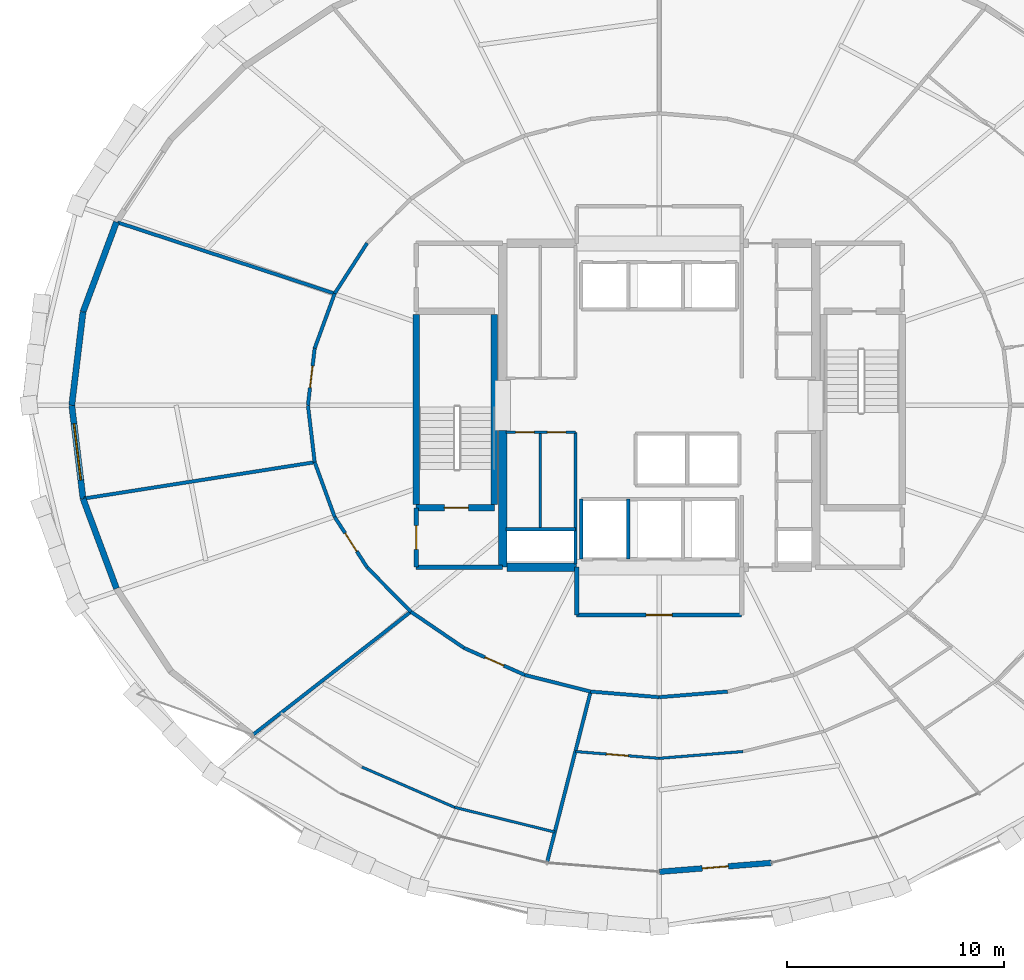
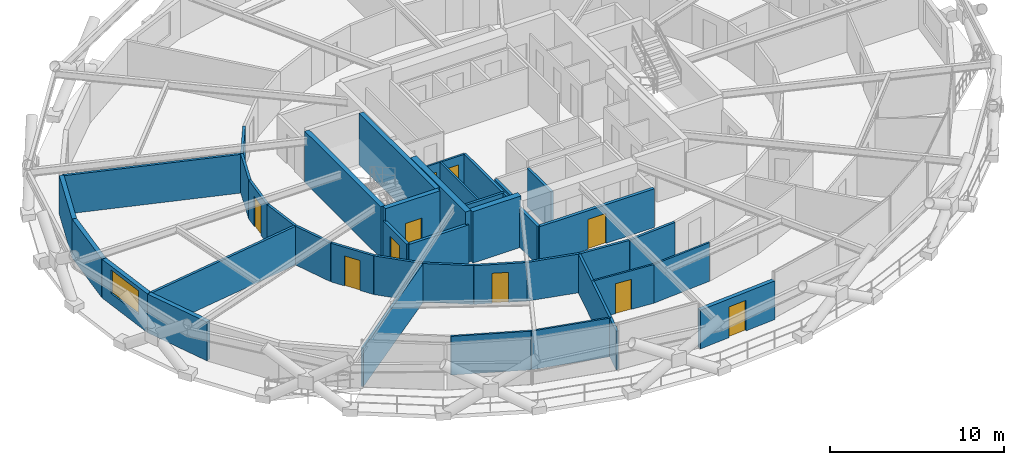
# One storey, part 13 of 19: 40 walls, 10 doors, 1 window, 11 openings.
"""IFC4 building model written with IfcOpenShell, lengths in metres."""

from ifc_helpers import new_model, si_unit, direction, frame, frame_2d, origin, place, context, subcontext, project, spatial, rectangle, extrude, material, layer, layer_set, type_object, element, fill, save


model = new_model("IFC4")

# Units and contexts
model_context = context("Model", 3, precision=1e-05, world=origin(), true_north=direction((0.0, 1.0)))
body_context = subcontext(model_context, "Body", "Model", "MODEL_VIEW")
ifc_project = project(units=[si_unit("LENGTHUNIT", "METRE"), si_unit("AREAUNIT", "SQUARE_METRE"), si_unit("VOLUMEUNIT", "CUBIC_METRE"), si_unit("PLANEANGLEUNIT", "RADIAN"), si_unit("MASSUNIT", "GRAM", prefix="KILO")], contexts=[model_context])

# Site, building, storey
site_placement = place(None, origin())
site = spatial("IfcSite", under=ifc_project, at=site_placement, CompositionType="ELEMENT")
building_placement = place(site_placement, origin())
building = spatial("IfcBuilding", under=site, at=building_placement, Name="Veldorina Hangang Commons", CompositionType="ELEMENT")
storey_placement = place(building_placement, frame((0.0, 0.0, 77.199951171875)))
storey = spatial("IfcBuildingStorey", under=building, at=storey_placement, Name="L19", CompositionType="ELEMENT", Elevation=77.199951171875)

# Walls
ifc_material_1 = material(Name="Concrete C70/85", Category="concrete")
ifc_layer_1 = layer(ifc_material_1, 0.3798828125)
ifc_layer_set_1 = layer_set([ifc_layer_1], Name="Concrete C70/85")
wall_type_1 = type_object("IfcWallType", Name="CW-RC380-C70", PredefinedType="SHEAR", material=ifc_layer_set_1)
wall_1_placement = place(storey_placement, frame((24.800048828125, 16.550048828125, 0.0), z_axis=(0.0, 0.0, 1.0), x_axis=(0.0, 1.0, 0.0)))
element("IfcWall", 1, at=wall_1_placement, inside=storey, type_object=wall_type_1, Name="L19 W south core shear wall", PredefinedType="SHEAR", context=body_context, shape_type="SweptSolid", body=[
    extrude(rectangle(XDim=6.300048828125, YDim=0.3798828125, at=frame_2d((3.14990234375, 0.0))), origin(), (0.0, 0.0, 1.0), 3.60009765625),
])
wall_2_placement = place(storey_placement, frame((24.989990234375, 16.550048828125, 0.0), z_axis=(0.0, 0.0, 1.0), x_axis=(1.0, 0.0, 0.0)))
element("IfcWall", 2, at=wall_2_placement, inside=storey, type_object=wall_type_1, Name="L19 south-west core shear wall", PredefinedType="SHEAR", context=body_context, shape_type="SweptSolid", body=[
    extrude(rectangle(XDim=3.2099609375, YDim=0.3798828125, at=frame_2d((1.60498046875, 0.0))), origin(), (0.0, 0.0, 1.0), 3.60009765625),
])

# Wall, opening, door
ifc_material_2 = material(Name="Stone Roman Travertine", Category="masonry")
ifc_layer_2 = layer(ifc_material_2, 0.260009765625)
ifc_layer_set_2 = layer_set([ifc_layer_2], Name="Stone Roman Travertine")
wall_type_2 = type_object("IfcWallType", Name="EW-LOGGIA-260", PredefinedType="STANDARD", material=ifc_layer_set_2)
wall_3_placement = place(storey_placement, frame((32.0, 2.529296875, 0.0), z_axis=(0.0, 0.0, 1.0), x_axis=(0.996823664018, 0.079640334335, 0.0)))
wall_3 = element("IfcWall", 3, at=wall_3_placement, inside=storey, type_object=wall_type_2, Name="L19 sky-garden loggia portal wall 24", PredefinedType="STANDARD", context=body_context, shape_type="SweptSolid", body=[
    extrude(rectangle(XDim=5.1806640625, YDim=0.260009765625, at=frame_2d((2.59033203125, 0.0))), origin(), (0.0, 0.0, 1.0), 2.7099609375),
])
opening_1_placement = place(wall_3_placement, frame((1.990234375, 0.0, 0.0)))
opening_1 = element("IfcOpeningElement", 4, at=opening_1_placement, cuts=wall_3, Name="Opening BD-1200", PredefinedType="OPENING", context=body_context, shape_type="SweptSolid", body=[
    extrude(rectangle(XDim=1.199951171875, YDim=2.14990234375, at=frame_2d((0.60009765625, 1.074951171875))), frame((0.0, 0.14013671875, 0.0), z_axis=(0.0, -1.0, 0.0), x_axis=(1.0, 0.0, 0.0)), (0.0, 0.0, 1.0), 0.280029296875),
])
ifc_material_3 = material(Name="Glass Thermal Aluminium Frame", Category="aluminium")
door_type_1 = type_object("IfcDoorType", Name="DR-EXT-LOG1200", OperationType="SINGLE_SWING_LEFT", PredefinedType="DOOR", material=ifc_material_3)
door_1_placement = place(opening_1_placement, origin())
door_1 = element("IfcDoor", 5, at=door_1_placement, inside=storey, type_object=door_type_1, Name="L19 loggia glazed exterior door 24", OperationType="SINGLE_SWING_LEFT", OverallHeight=2.14990234375, OverallWidth=1.199951171875, PredefinedType="DOOR", context=body_context, shape_type="SweptSolid", body=[
    extrude(rectangle(XDim=1.199951171875, YDim=2.14990234375, at=frame_2d((0.60009765625, 1.074951171875))), frame((0.0, 0.02490234375, 0.0), z_axis=(0.0, -1.0, 0.0), x_axis=(1.0, 0.0, 0.0)), (0.0, 0.0, 1.0), 0.050048828125),
])
fill(opening_1, door_1)

# Walls
ifc_layer_3 = layer(ifc_material_2, 0.280029296875)
ifc_layer_set_3 = layer_set([ifc_layer_3], Name="Stone Roman Travertine")
wall_type_3 = type_object("IfcWallType", Name="EW-TRAV-280", PredefinedType="STANDARD", material=ifc_layer_set_3)
wall_4_placement = place(storey_placement, frame((7.027099609375, 32.4306640625, 0.0), z_axis=(0.0, 0.0, 1.0), x_axis=(-0.348859248306, -0.93717513031, 0.0)))
element("IfcWall", 6, at=wall_4_placement, inside=storey, type_object=wall_type_3, Name="L19 travertine facade wall 14", PredefinedType="STANDARD", context=body_context, shape_type="SweptSolid", body=[
    extrude(rectangle(XDim=4.40966796875, YDim=0.280029296875, at=frame_2d((2.204833984375, 0.0))), origin(), (0.0, 0.0, 1.0), 2.7099609375),
])
wall_5_placement = place(storey_placement, frame((5.48876953125, 28.298095703125, 0.0), z_axis=(0.0, 0.0, 1.0), x_axis=(-0.119945698674, -0.992780453761, 0.0)))
element("IfcWall", 7, at=wall_5_placement, inside=storey, type_object=wall_type_3, Name="L19 travertine facade wall 15", PredefinedType="STANDARD", context=body_context, shape_type="SweptSolid", body=[
    extrude(rectangle(XDim=4.329345703125, YDim=0.280029296875, at=frame_2d((2.16455078125, 0.0))), origin(), (0.0, 0.0, 1.0), 2.7099609375),
])

# Wall, opening, window
wall_6_placement = place(storey_placement, frame((4.969482421875, 24.0, 0.0), z_axis=(0.0, 0.0, 1.0), x_axis=(0.119945698674, -0.992780453761, 0.0)))
wall_6 = element("IfcWall", 8, at=wall_6_placement, inside=storey, type_object=wall_type_3, Name="L19 travertine facade wall 16", PredefinedType="STANDARD", context=body_context, shape_type="SweptSolid", body=[
    extrude(rectangle(XDim=4.329345703125, YDim=0.280029296875, at=frame_2d((2.16455078125, 0.0))), origin(), (0.0, 0.0, 1.0), 2.7099609375),
])
opening_2_placement = place(wall_6_placement, frame((0.864501953125, 0.0, 0.800048828125)))
opening_2 = element("IfcOpeningElement", 9, at=opening_2_placement, cuts=wall_6, Name="Opening W-02", PredefinedType="OPENING", context=body_context, shape_type="SweptSolid", body=[
    extrude(rectangle(XDim=2.60009765625, YDim=1.64990234375, at=frame_2d((1.300048828125, 0.824951171875))), frame((0.0, 0.14990234375, 0.0), z_axis=(0.0, -1.0, 0.0), x_axis=(1.0, 0.0, 0.0)), (0.0, 0.0, 1.0), 0.300048828125),
])
ifc_material_4 = material(Name="Glass Low-E Triple IGU", Category="glass")
window_type = type_object("IfcWindowType", Name="WIN-TWR-2600", PartitioningType="SINGLE_PANEL", PredefinedType="WINDOW", material=ifc_material_4)
window_placement = place(opening_2_placement, origin())
window = element("IfcWindow", 10, at=window_placement, inside=storey, type_object=window_type, Name="L19 facade window 16", OverallHeight=1.64990234375, OverallWidth=2.60009765625, PartitioningType="SINGLE_PANEL", PredefinedType="WINDOW", context=body_context, shape_type="SweptSolid", body=[
    extrude(rectangle(XDim=2.60009765625, YDim=1.64990234375, at=frame_2d((1.300048828125, 0.824951171875))), frame((0.0, 0.030029296875, 0.0), z_axis=(0.0, -1.0, 0.0), x_axis=(1.0, 0.0, 0.0)), (0.0, 0.0, 1.0), 0.06005859375),
])
fill(opening_2, window)

# Walls
wall_7_placement = place(storey_placement, frame((5.48876953125, 19.701904296875, 0.0), z_axis=(0.0, 0.0, 1.0), x_axis=(0.348859248306, -0.93717513031, 0.0)))
element("IfcWall", 11, at=wall_7_placement, inside=storey, type_object=wall_type_3, Name="L19 travertine facade wall 17", PredefinedType="STANDARD", context=body_context, shape_type="SweptSolid", body=[
    extrude(rectangle(XDim=4.40966796875, YDim=0.280029296875, at=frame_2d((2.204833984375, 0.0))), origin(), (0.0, 0.0, 1.0), 2.7099609375),
])
ifc_material_5 = material(Name="Concrete C50/60", Category="concrete")
ifc_layer_4 = layer(ifc_material_5, 0.300048828125)
ifc_layer_set_4 = layer_set([ifc_layer_4], Name="Concrete C50/60")
wall_type_4 = type_object("IfcWallType", Name="SW-STAIR-300", PredefinedType="SHEAR", material=ifc_layer_set_4)
for number, where, z_axis, x_axis, name in (
    (12, (20.820068359375, 19.429931640625, 0.0), (0.0, 0.0, 1.0), (0.0, 1.0, 0.0), "L19 ST1 outer stair shear wall"),
    (13, (24.419921875, 19.429931640625, 0.0), (0.0, 0.0, 1.0), (0.0, 1.0, 0.0), "L19 ST1 inner stair shear wall"),
):
    element("IfcWall", number, at=place(storey_placement, frame(where, z_axis=z_axis, x_axis=x_axis)), inside=storey, type_object=wall_type_4, Name=name, PredefinedType="SHEAR", context=body_context, shape_type="SweptSolid", body=[
        extrude(rectangle(XDim=8.739990234375, YDim=0.300048828125, at=frame_2d((4.3701171875, 0.0))), origin(), (0.0, 0.0, 1.0), 3.60009765625),
    ])

# Wall, opening, door
wall_8_placement = place(storey_placement, frame((20.820068359375, 19.280029296875, 0.0), z_axis=(0.0, 0.0, 1.0), x_axis=(1.0, 0.0, 0.0)))
wall_8 = element("IfcWall", 14, at=wall_8_placement, inside=storey, type_object=wall_type_4, Name="L19 ST1 south stair shear wall", PredefinedType="SHEAR", context=body_context, shape_type="SweptSolid", body=[
    extrude(rectangle(XDim=3.599853515625, YDim=0.300048828125, at=frame_2d((1.7998046875, 0.0))), origin(), (0.0, 0.0, 1.0), 3.60009765625),
])
opening_3_placement = place(wall_8_placement, frame((1.300048828125, 0.0, 0.0)))
opening_3 = element("IfcOpeningElement", 15, at=opening_3_placement, cuts=wall_8, Name="Opening D-08", PredefinedType="OPENING", context=body_context, shape_type="SweptSolid", body=[
    extrude(rectangle(XDim=1.10009765625, YDim=2.10009765625, at=frame_2d((0.550048828125, 1.050048828125))), frame((0.0, 0.16015625, 0.0), z_axis=(0.0, -1.0, 0.0), x_axis=(1.0, 0.0, 0.0)), (0.0, 0.0, 1.0), 0.320068359375),
])
ifc_material_6 = material(Name="Steel Fire-Rated Smoke Seal", Category="steel")
door_type_2 = type_object("IfcDoorType", Name="DR-FIRE-1100", OperationType="SINGLE_SWING_RIGHT", PredefinedType="DOOR", material=ifc_material_6)
door_2_placement = place(opening_3_placement, origin())
door_2 = element("IfcDoor", 16, at=door_2_placement, inside=storey, type_object=door_type_2, Name="L19 Special Escape Stair ST-1 door", OperationType="SINGLE_SWING_LEFT", OverallHeight=2.10009765625, OverallWidth=1.10009765625, PredefinedType="DOOR", context=body_context, shape_type="SweptSolid", body=[
    extrude(rectangle(XDim=1.10009765625, YDim=2.10009765625, at=frame_2d((0.550048828125, 1.050048828125))), frame((0.0, 0.02490234375, 0.0), z_axis=(0.0, -1.0, 0.0), x_axis=(1.0, 0.0, 0.0)), (0.0, 0.0, 1.0), 0.050048828125),
])
fill(opening_3, door_2)

# Walls
ifc_material_7 = material(Name="Gypsum Fire-Rated Twin Stud Wall", Category="gypsum")
ifc_layer_5 = layer(ifc_material_7, 0.159912109375)
ifc_layer_set_5 = layer_set([ifc_layer_5], Name="Gypsum Fire-Rated Twin Stud Wall")
wall_type_5 = type_object("IfcWallType", Name="WL-FIRE-160", PredefinedType="SOLIDWALL", material=ifc_layer_set_5)
for number, where, z_axis, x_axis, name in (
    (17, (28.419921875, 16.919921875, 0.0), (0.0, 0.0, 1.0), (0.0, 1.0, 0.0), "L19 FFL-1 west shaft wall 028"),
    (18, (30.580078125, 16.919921875, 0.0), (0.0, 0.0, 1.0), (0.0, 1.0, 0.0), "L19 FFL-1 east shaft wall 029"),
):
    element("IfcWall", number, at=place(storey_placement, frame(where, z_axis=z_axis, x_axis=x_axis)), inside=storey, type_object=wall_type_5, Name=name, PredefinedType="SOLIDWALL", context=body_context, shape_type="SweptSolid", body=[
        extrude(rectangle(XDim=2.760009765625, YDim=0.159912109375, at=frame_2d((1.3798828125, 0.0))), origin(), (0.0, 0.0, 1.0), 2.7099609375),
    ])
wall_9_placement = place(storey_placement, frame((24.949951171875, 18.300048828125, 0.0), z_axis=(0.0, 0.0, 1.0), x_axis=(1.0, 0.0, 0.0)))
element("IfcWall", 19, at=wall_9_placement, inside=storey, type_object=wall_type_5, Name="L19 Electrical riser wall 035", PredefinedType="SOLIDWALL", context=body_context, shape_type="SweptSolid", body=[
    extrude(rectangle(XDim=3.199951171875, YDim=0.159912109375, at=frame_2d((1.60009765625, 0.0))), origin(), (0.0, 0.0, 1.0), 2.7099609375),
])
wall_10_placement = place(storey_placement, frame((28.14990234375, 16.699951171875, 0.0), z_axis=(0.0, 0.0, 1.0), x_axis=(0.0, 1.0, 0.0)))
element("IfcWall", 20, at=wall_10_placement, inside=storey, type_object=wall_type_5, Name="L19 SW core inner wall 036", PredefinedType="SOLIDWALL", context=body_context, shape_type="SweptSolid", body=[
    extrude(rectangle(XDim=6.050048828125, YDim=0.159912109375, at=frame_2d((3.02490234375, 0.0))), origin(), (0.0, 0.0, 1.0), 2.7099609375),
])
wall_11_placement = place(storey_placement, frame((18.561767578125, 31.46337890625, 0.0), z_axis=(0.0, 0.0, 1.0), x_axis=(-0.540891657444, -0.841092274907, 0.0)))
element("IfcWall", 21, at=wall_11_placement, inside=storey, type_object=wall_type_5, Name="L19 Corridor outer wall 13 063", PredefinedType="SOLIDWALL", context=body_context, shape_type="SweptSolid", body=[
    extrude(rectangle(XDim=2.760986328125, YDim=0.159912109375, at=frame_2d((1.38037109375, 0.0))), origin(), (0.0, 0.0, 1.0), 2.7099609375),
])
wall_12_placement = place(storey_placement, frame((17.068359375, 29.14111328125, 0.0), z_axis=(0.0, 0.0, 1.0), x_axis=(-0.342882618672, -0.939378257047, 0.0)))
element("IfcWall", 22, at=wall_12_placement, inside=storey, type_object=wall_type_5, Name="L19 Corridor outer wall 14 064", PredefinedType="SOLIDWALL", context=body_context, shape_type="SweptSolid", body=[
    extrude(rectangle(XDim=2.682861328125, YDim=0.159912109375, at=frame_2d((1.34130859375, 0.0))), origin(), (0.0, 0.0, 1.0), 2.7099609375),
])

# Wall, opening, door
wall_13_placement = place(storey_placement, frame((16.1484375, 26.620849609375, 0.0), z_axis=(0.0, 0.0, 1.0), x_axis=(-0.117667763342, -0.993053018459, 0.0)))
wall_13 = element("IfcWall", 23, at=wall_13_placement, inside=storey, type_object=wall_type_5, Name="L19 Corridor outer wall 15 065", PredefinedType="SOLIDWALL", context=body_context, shape_type="SweptSolid", body=[
    extrude(rectangle(XDim=2.63916015625, YDim=0.159912109375, at=frame_2d((1.319580078125, 0.0))), origin(), (0.0, 0.0, 1.0), 2.7099609375),
])
opening_4_placement = place(wall_13_placement, frame((0.819580078125, 0.0, 0.0)))
opening_4 = element("IfcOpeningElement", 24, at=opening_4_placement, cuts=wall_13, Name="Opening D-05", PredefinedType="OPENING", context=body_context, shape_type="SweptSolid", body=[
    extrude(rectangle(XDim=1.0, YDim=2.10009765625, at=frame_2d((0.5, 1.050048828125))), frame((0.0, 0.08984375, 0.0), z_axis=(0.0, -1.0, 0.0), x_axis=(1.0, 0.0, 0.0)), (0.0, 0.0, 1.0), 0.179931640625),
])
ifc_material_8 = material(Name="Timber Solid Core Acoustic", Category="wood")
door_type_3 = type_object("IfcDoorType", Name="DR-INT-1000", OperationType="SINGLE_SWING_RIGHT", PredefinedType="DOOR", material=ifc_material_8)
door_3_placement = place(opening_4_placement, origin())
door_3 = element("IfcDoor", 25, at=door_3_placement, inside=storey, type_object=door_type_3, Name="L19 Seminar Focus Room 7 door 039", OperationType="SINGLE_SWING_LEFT", OverallHeight=2.10009765625, OverallWidth=1.0, PredefinedType="DOOR", context=body_context, shape_type="SweptSolid", body=[
    extrude(rectangle(XDim=1.0, YDim=2.10009765625, at=frame_2d((0.5, 1.050048828125))), frame((0.0, 0.02490234375, 0.0), z_axis=(0.0, -1.0, 0.0), x_axis=(1.0, 0.0, 0.0)), (0.0, 0.0, 1.0), 0.050048828125),
])
fill(opening_4, door_3)

# Walls
wall_14_placement = place(storey_placement, frame((15.837890625, 24.0, 0.0), z_axis=(0.0, 0.0, 1.0), x_axis=(0.117667763342, -0.993053018459, 0.0)))
element("IfcWall", 26, at=wall_14_placement, inside=storey, type_object=wall_type_5, Name="L19 Corridor outer wall 16 066", PredefinedType="SOLIDWALL", context=body_context, shape_type="SweptSolid", body=[
    extrude(rectangle(XDim=2.63916015625, YDim=0.159912109375, at=frame_2d((1.319580078125, 0.0))), origin(), (0.0, 0.0, 1.0), 2.7099609375),
])
wall_15_placement = place(storey_placement, frame((16.1484375, 21.379150390625, 0.0), z_axis=(0.0, 0.0, 1.0), x_axis=(0.342882618672, -0.939378257047, 0.0)))
element("IfcWall", 27, at=wall_15_placement, inside=storey, type_object=wall_type_5, Name="L19 Corridor outer wall 17 067", PredefinedType="SOLIDWALL", context=body_context, shape_type="SweptSolid", body=[
    extrude(rectangle(XDim=2.682861328125, YDim=0.159912109375, at=frame_2d((1.34130859375, 0.0))), origin(), (0.0, 0.0, 1.0), 2.7099609375),
])

# Wall, opening, door
wall_16_placement = place(storey_placement, frame((17.068359375, 18.85888671875, 0.0), z_axis=(0.0, 0.0, 1.0), x_axis=(0.540891657444, -0.841092274907, 0.0)))
wall_16 = element("IfcWall", 28, at=wall_16_placement, inside=storey, type_object=wall_type_5, Name="L19 Corridor outer wall 18 068", PredefinedType="SOLIDWALL", context=body_context, shape_type="SweptSolid", body=[
    extrude(rectangle(XDim=2.760986328125, YDim=0.159912109375, at=frame_2d((1.38037109375, 0.0))), origin(), (0.0, 0.0, 1.0), 2.7099609375),
])
opening_5_placement = place(wall_16_placement, frame((0.880615234375, 0.0, 0.0)))
opening_5 = element("IfcOpeningElement", 29, at=opening_5_placement, cuts=wall_16, Name="Opening D-05", PredefinedType="OPENING", context=body_context, shape_type="SweptSolid", body=[
    extrude(rectangle(XDim=1.0, YDim=2.10009765625, at=frame_2d((0.5, 1.050048828125))), frame((0.0, 0.08984375, 0.0), z_axis=(0.0, -1.0, 0.0), x_axis=(1.0, 0.0, 0.0)), (0.0, 0.0, 1.0), 0.179931640625),
])
door_4_placement = place(opening_5_placement, origin())
door_4 = element("IfcDoor", 30, at=door_4_placement, inside=storey, type_object=door_type_3, Name="L19 Seminar Focus Room 8 door 040", OperationType="SINGLE_SWING_RIGHT", OverallHeight=2.10009765625, OverallWidth=1.0, PredefinedType="DOOR", context=body_context, shape_type="SweptSolid", body=[
    extrude(rectangle(XDim=1.0, YDim=2.10009765625, at=frame_2d((0.5, 1.050048828125))), frame((0.0, 0.02490234375, 0.0), z_axis=(0.0, -1.0, 0.0), x_axis=(1.0, 0.0, 0.0)), (0.0, 0.0, 1.0), 0.050048828125),
])
fill(opening_5, door_4)

# Walls
wall_17_placement = place(storey_placement, frame((18.561767578125, 16.53662109375, 0.0), z_axis=(0.0, 0.0, 1.0), x_axis=(0.702569520063, -0.711615113301, 0.0)))
element("IfcWall", 31, at=wall_17_placement, inside=storey, type_object=wall_type_5, Name="L19 Corridor outer wall 19 069", PredefinedType="SOLIDWALL", context=body_context, shape_type="SweptSolid", body=[
    extrude(rectangle(XDim=2.86083984375, YDim=0.159912109375, at=frame_2d((1.430419921875, 0.0))), origin(), (0.0, 0.0, 1.0), 2.7099609375),
])
wall_18_placement = place(storey_placement, frame((20.57177734375, 14.500732421875, 0.0), z_axis=(0.0, 0.0, 1.0), x_axis=(0.826112340767, -0.563505457323, 0.0)))
element("IfcWall", 32, at=wall_18_placement, inside=storey, type_object=wall_type_5, Name="L19 Corridor outer wall 20 070", PredefinedType="SOLIDWALL", context=body_context, shape_type="SweptSolid", body=[
    extrude(rectangle(XDim=2.96484375, YDim=0.159912109375, at=frame_2d((1.482421875, 0.0))), origin(), (0.0, 0.0, 1.0), 2.7099609375),
])

# Wall, opening, door
wall_19_placement = place(storey_placement, frame((23.02099609375, 12.830078125, 0.0), z_axis=(0.0, 0.0, 1.0), x_axis=(0.913860932409, -0.406027334321, 0.0)))
wall_19 = element("IfcWall", 33, at=wall_19_placement, inside=storey, type_object=wall_type_5, Name="L19 Corridor outer wall 21 071", PredefinedType="SOLIDWALL", context=body_context, shape_type="SweptSolid", body=[
    extrude(rectangle(XDim=3.0576171875, YDim=0.159912109375, at=frame_2d((1.52880859375, 0.0))), origin(), (0.0, 0.0, 1.0), 2.7099609375),
])
opening_6_placement = place(wall_19_placement, frame((1.0537109375, 0.0, 0.0)))
opening_6 = element("IfcOpeningElement", 34, at=opening_6_placement, cuts=wall_19, Name="Opening D-02", PredefinedType="OPENING", context=body_context, shape_type="SweptSolid", body=[
    extrude(rectangle(XDim=0.949951171875, YDim=2.10009765625, at=frame_2d((0.47509765625, 1.050048828125))), frame((0.0, 0.08984375, 0.0), z_axis=(0.0, -1.0, 0.0), x_axis=(1.0, 0.0, 0.0)), (0.0, 0.0, 1.0), 0.179931640625),
])
door_type_4 = type_object("IfcDoorType", Name="DR-INT-950", OperationType="SINGLE_SWING_LEFT", PredefinedType="DOOR", material=ifc_material_8)
door_5_placement = place(opening_6_placement, origin())
door_5 = element("IfcDoor", 35, at=door_5_placement, inside=storey, type_object=door_type_4, Name="L19 Linen drying store door 041", OperationType="SINGLE_SWING_LEFT", OverallHeight=2.10009765625, OverallWidth=0.949951171875, PredefinedType="DOOR", context=body_context, shape_type="SweptSolid", body=[
    extrude(rectangle(XDim=0.949951171875, YDim=2.10009765625, at=frame_2d((0.47509765625, 1.050048828125))), frame((0.0, 0.02490234375, 0.0), z_axis=(0.0, -1.0, 0.0), x_axis=(1.0, 0.0, 0.0)), (0.0, 0.0, 1.0), 0.050048828125),
])
fill(opening_6, door_5)

# Walls
wall_20_placement = place(storey_placement, frame((25.815185546875, 11.588623046875, 0.0), z_axis=(0.0, 0.0, 1.0), x_axis=(0.969653665365, -0.244482656326, 0.0)))
element("IfcWall", 36, at=wall_20_placement, inside=storey, type_object=wall_type_5, Name="L19 Corridor outer wall 22 072", PredefinedType="SOLIDWALL", context=body_context, shape_type="SweptSolid", body=[
    extrude(rectangle(XDim=3.126708984375, YDim=0.159912109375, at=frame_2d((1.5634765625, 0.0))), origin(), (0.0, 0.0, 1.0), 2.7099609375),
])
for number, where, z_axis, x_axis, name in (
    (37, (28.846923828125, 10.82421875, 0.0), (0.0, 0.0, 1.0), (0.996661331307, -0.081646743207, 0.0), "L19 Corridor outer wall 23 073"),
    (38, (32.0, 10.56591796875, 0.0), (0.0, 0.0, 1.0), (0.996661331307, 0.081646743207, 0.0), "L19 Corridor outer wall 24 074"),
):
    element("IfcWall", number, at=place(storey_placement, frame(where, z_axis=z_axis, x_axis=x_axis)), inside=storey, type_object=wall_type_5, Name=name, PredefinedType="SOLIDWALL", context=body_context, shape_type="SweptSolid", body=[
        extrude(rectangle(XDim=3.16357421875, YDim=0.159912109375, at=frame_2d((1.581787109375, 0.0))), origin(), (0.0, 0.0, 1.0), 2.7099609375),
    ])
wall_21_placement = place(storey_placement, frame((28.846923828125, 10.82421875, 0.0), z_axis=(0.0, 0.0, 1.0), x_axis=(-0.247229429699, -0.96895696968, 0.0)))
element("IfcWall", 39, at=wall_21_placement, inside=storey, type_object=wall_type_5, Name="L19 Unit party wall 23 082", PredefinedType="SOLIDWALL", context=body_context, shape_type="SweptSolid", body=[
    extrude(rectangle(XDim=8.084716796875, YDim=0.159912109375, at=frame_2d((4.04248046875, 0.0))), origin(), (0.0, 0.0, 1.0), 2.7099609375),
])
wall_22_placement = place(storey_placement, frame((17.068359375, 29.14111328125, 0.0), z_axis=(0.0, 0.0, 1.0), x_axis=(-0.950307251603, 0.311313551826, 0.0)))
element("IfcWall", 40, at=wall_22_placement, inside=storey, type_object=wall_type_5, Name="L19 Unit party wall 14 110", PredefinedType="SOLIDWALL", context=body_context, shape_type="SweptSolid", body=[
    extrude(rectangle(XDim=10.5166015625, YDim=0.159912109375, at=frame_2d((5.25830078125, 0.0))), origin(), (0.0, 0.0, 1.0), 2.7099609375),
])
wall_23_placement = place(storey_placement, frame((16.1484375, 21.379150390625, 0.0), z_axis=(0.0, 0.0, 1.0), x_axis=(-0.987847228952, -0.155427964831, 0.0)))
element("IfcWall", 41, at=wall_23_placement, inside=storey, type_object=wall_type_5, Name="L19 Unit party wall 17 111", PredefinedType="SOLIDWALL", context=body_context, shape_type="SweptSolid", body=[
    extrude(rectangle(XDim=10.740966796875, YDim=0.159912109375, at=frame_2d((5.37060546875, 0.0))), origin(), (0.0, 0.0, 1.0), 2.7099609375),
])
wall_24_placement = place(storey_placement, frame((20.57177734375, 14.500732421875, 0.0), z_axis=(0.0, 0.0, 1.0), x_axis=(-0.788645247131, -0.61484849693, 0.0)))
element("IfcWall", 42, at=wall_24_placement, inside=storey, type_object=wall_type_5, Name="L19 Unit party wall 20 112", PredefinedType="SOLIDWALL", context=body_context, shape_type="SweptSolid", body=[
    extrude(rectangle(XDim=9.192626953125, YDim=0.159912109375, at=frame_2d((4.59619140625, 0.0))), origin(), (0.0, 0.0, 1.0), 2.7099609375),
])

# Wall, opening, door
ifc_material_9 = material(Name="Concrete Blockwork Fire Wall C30/37", Category="masonry")
ifc_layer_6 = layer(ifc_material_9, 0.199951171875)
ifc_layer_set_6 = layer_set([ifc_layer_6], Name="Concrete Blockwork Fire Wall C30/37")
wall_type_6 = type_object("IfcWallType", Name="WL-FIRE-200", PredefinedType="SOLIDWALL", material=ifc_layer_set_6)
wall_25_placement = place(storey_placement, frame((20.820068359375, 16.550048828125, 0.0), z_axis=(0.0, 0.0, 1.0), x_axis=(0.0, 1.0, 0.0)))
wall_25 = element("IfcWall", 43, at=wall_25_placement, inside=storey, type_object=wall_type_6, Name="L19 West vestibule outer wall 001", PredefinedType="SOLIDWALL", context=body_context, shape_type="SweptSolid", body=[
    extrude(rectangle(XDim=2.72998046875, YDim=0.199951171875, at=frame_2d((1.364990234375, 0.0))), origin(), (0.0, 0.0, 1.0), 2.7099609375),
])
opening_7_placement = place(wall_25_placement, frame((0.81494140625, 0.0, 0.0)))
opening_7 = element("IfcOpeningElement", 44, at=opening_7_placement, cuts=wall_25, Name="Opening D-08", PredefinedType="OPENING", context=body_context, shape_type="SweptSolid", body=[
    extrude(rectangle(XDim=1.10009765625, YDim=2.10009765625, at=frame_2d((0.550048828125, 1.050048828125))), frame((0.0, 0.10986328125, 0.0), z_axis=(0.0, -1.0, 0.0), x_axis=(1.0, 0.0, 0.0)), (0.0, 0.0, 1.0), 0.219970703125),
])
door_6_placement = place(opening_7_placement, origin())
door_6 = element("IfcDoor", 45, at=door_6_placement, inside=storey, type_object=door_type_2, Name="L19 West vestibule west door 001", OperationType="SINGLE_SWING_LEFT", OverallHeight=2.10009765625, OverallWidth=1.10009765625, PredefinedType="DOOR", context=body_context, shape_type="SweptSolid", body=[
    extrude(rectangle(XDim=1.10009765625, YDim=2.10009765625, at=frame_2d((0.550048828125, 1.050048828125))), frame((0.0, 0.02490234375, 0.0), z_axis=(0.0, -1.0, 0.0), x_axis=(1.0, 0.0, 0.0)), (0.0, 0.0, 1.0), 0.050048828125),
])
fill(opening_7, door_6)

# Walls
wall_26_placement = place(storey_placement, frame((20.820068359375, 16.550048828125, 0.0), z_axis=(0.0, 0.0, 1.0), x_axis=(1.0, 0.0, 0.0)))
element("IfcWall", 46, at=wall_26_placement, inside=storey, type_object=wall_type_6, Name="L19 West vestibule south wall 002", PredefinedType="SOLIDWALL", context=body_context, shape_type="SweptSolid", body=[
    extrude(rectangle(XDim=3.97998046875, YDim=0.199951171875, at=frame_2d((1.989990234375, 0.0))), origin(), (0.0, 0.0, 1.0), 2.7099609375),
])
wall_27_placement = place(storey_placement, frame((28.199951171875, 14.35009765625, 0.0), z_axis=(0.0, 0.0, 1.0), x_axis=(0.0, 1.0, 0.0)))
element("IfcWall", 47, at=wall_27_placement, inside=storey, type_object=wall_type_6, Name="L19 FF lobby west wall 012", PredefinedType="SOLIDWALL", context=body_context, shape_type="SweptSolid", body=[
    extrude(rectangle(XDim=2.199951171875, YDim=0.199951171875, at=frame_2d((1.10009765625, 0.0))), origin(), (0.0, 0.0, 1.0), 2.7099609375),
])

# Wall, opening, door
wall_28_placement = place(storey_placement, frame((28.199951171875, 14.35009765625, 0.0), z_axis=(0.0, 0.0, 1.0), x_axis=(1.0, 0.0, 0.0)))
wall_28 = element("IfcWall", 48, at=wall_28_placement, inside=storey, type_object=wall_type_6, Name="L19 FF lobby south wall 014", PredefinedType="SOLIDWALL", context=body_context, shape_type="SweptSolid", body=[
    extrude(rectangle(XDim=7.60009765625, YDim=0.199951171875, at=frame_2d((3.800048828125, 0.0))), origin(), (0.0, 0.0, 1.0), 2.7099609375),
])
opening_8_placement = place(wall_28_placement, frame((3.199951171875, 0.0, 0.0)))
opening_8 = element("IfcOpeningElement", 49, at=opening_8_placement, cuts=wall_28, Name="Opening D-09", PredefinedType="OPENING", context=body_context, shape_type="SweptSolid", body=[
    extrude(rectangle(XDim=1.199951171875, YDim=2.10009765625, at=frame_2d((0.60009765625, 1.050048828125))), frame((0.0, 0.10986328125, 0.0), z_axis=(0.0, -1.0, 0.0), x_axis=(1.0, 0.0, 0.0)), (0.0, 0.0, 1.0), 0.219970703125),
])
ifc_material_10 = material(Name="Steel Fire-Rated Corridor Door", Category="steel")
door_type_5 = type_object("IfcDoorType", Name="DR-FIRE-1200", OperationType="SINGLE_SWING_LEFT", PredefinedType="DOOR", material=ifc_material_10)
door_7_placement = place(opening_8_placement, origin())
door_7 = element("IfcDoor", 50, at=door_7_placement, inside=storey, type_object=door_type_5, Name="L19 FF lobby south corridor door 005", OperationType="SINGLE_SWING_LEFT", OverallHeight=2.10009765625, OverallWidth=1.199951171875, PredefinedType="DOOR", context=body_context, shape_type="SweptSolid", body=[
    extrude(rectangle(XDim=1.199951171875, YDim=2.10009765625, at=frame_2d((0.60009765625, 1.050048828125))), frame((0.0, 0.02490234375, 0.0), z_axis=(0.0, -1.0, 0.0), x_axis=(1.0, 0.0, 0.0)), (0.0, 0.0, 1.0), 0.050048828125),
])
fill(opening_8, door_7)

# Wall, openings, doors
ifc_material_11 = material(Name="Gypsum Acoustic Stud Partition", Category="gypsum")
ifc_layer_7 = layer(ifc_material_11, 0.1201171875)
ifc_layer_set_7 = layer_set([ifc_layer_7], Name="Gypsum Acoustic Stud Partition")
wall_type_7 = type_object("IfcWallType", Name="WL-PART-120", PredefinedType="PARTITIONING", material=ifc_layer_set_7)
wall_29_placement = place(storey_placement, frame((24.949951171875, 22.75, 0.0), z_axis=(0.0, 0.0, 1.0), x_axis=(1.0, 0.0, 0.0)))
wall_29 = element("IfcWall", 51, at=wall_29_placement, inside=storey, type_object=wall_type_7, Name="L19 SW service north wall 040", PredefinedType="PARTITIONING", context=body_context, shape_type="SweptSolid", body=[
    extrude(rectangle(XDim=3.199951171875, YDim=0.1201171875, at=frame_2d((1.60009765625, 0.0))), origin(), (0.0, 0.0, 1.0), 2.7099609375),
])
opening_9_placement = place(wall_29_placement, frame((0.43994140625, 0.0, 0.0)))
opening_9 = element("IfcOpeningElement", 52, at=opening_9_placement, cuts=wall_29, Name="Opening D-01", PredefinedType="OPENING", context=body_context, shape_type="SweptSolid", body=[
    extrude(rectangle(XDim=0.860107421875, YDim=2.10009765625, at=frame_2d((0.43017578125, 1.050048828125))), frame((0.0, 0.070068359375, 0.0), z_axis=(0.0, -1.0, 0.0), x_axis=(1.0, 0.0, 0.0)), (0.0, 0.0, 1.0), 0.14013671875),
])
opening_10_placement = place(wall_29_placement, frame((1.89990234375, 0.0, 0.0)))
opening_10 = element("IfcOpeningElement", 53, at=opening_10_placement, cuts=wall_29, Name="Opening D-01", PredefinedType="OPENING", context=body_context, shape_type="SweptSolid", body=[
    extrude(rectangle(XDim=0.860107421875, YDim=2.10009765625, at=frame_2d((0.43017578125, 1.050048828125))), frame((0.0, 0.070068359375, 0.0), z_axis=(0.0, -1.0, 0.0), x_axis=(1.0, 0.0, 0.0)), (0.0, 0.0, 1.0), 0.14013671875),
])
ifc_material_12 = material(Name="Timber Moisture-Resistant Core", Category="wood")
door_type_6 = type_object("IfcDoorType", Name="DR-WET-860", OperationType="SINGLE_SWING_LEFT", PredefinedType="DOOR", material=ifc_material_12)
door_8_placement = place(opening_9_placement, origin())
door_8 = element("IfcDoor", 54, at=door_8_placement, inside=storey, type_object=door_type_6, Name="L19 Cleaners door 015", OperationType="SINGLE_SWING_LEFT", OverallHeight=2.10009765625, OverallWidth=0.860107421875, PredefinedType="DOOR", context=body_context, shape_type="SweptSolid", body=[
    extrude(rectangle(XDim=0.860107421875, YDim=2.10009765625, at=frame_2d((0.43017578125, 1.050048828125))), frame((0.0, 0.02490234375, 0.0), z_axis=(0.0, -1.0, 0.0), x_axis=(1.0, 0.0, 0.0)), (0.0, 0.0, 1.0), 0.050048828125),
])
fill(opening_9, door_8)
door_9_placement = place(opening_10_placement, origin())
door_9 = element("IfcDoor", 55, at=door_9_placement, inside=storey, type_object=door_type_6, Name="L19 Metering door 016", OperationType="SINGLE_SWING_RIGHT", OverallHeight=2.10009765625, OverallWidth=0.860107421875, PredefinedType="DOOR", context=body_context, shape_type="SweptSolid", body=[
    extrude(rectangle(XDim=0.860107421875, YDim=2.10009765625, at=frame_2d((0.43017578125, 1.050048828125))), frame((0.0, 0.02490234375, 0.0), z_axis=(0.0, -1.0, 0.0), x_axis=(1.0, 0.0, 0.0)), (0.0, 0.0, 1.0), 0.050048828125),
])
fill(opening_10, door_9)

# Wall
wall_30_placement = place(storey_placement, frame((26.530029296875, 18.300048828125, 0.0), z_axis=(0.0, 0.0, 1.0), x_axis=(0.0, 1.0, 0.0)))
element("IfcWall", 56, at=wall_30_placement, inside=storey, type_object=wall_type_7, Name="L19 SW vertical split 046", PredefinedType="PARTITIONING", context=body_context, shape_type="SweptSolid", body=[
    extrude(rectangle(XDim=4.449951171875, YDim=0.1201171875, at=frame_2d((2.22509765625, 0.0))), origin(), (0.0, 0.0, 1.0), 2.7099609375),
])

# Wall, opening, door
wall_31_placement = place(storey_placement, frame((28.14306640625, 8.0654296875, 0.0), z_axis=(0.0, 0.0, 1.0), x_axis=(0.996738793215, -0.080695589095, 0.0)))
wall_31 = element("IfcWall", 57, at=wall_31_placement, inside=storey, type_object=wall_type_7, Name="L19 Lounge alcove split 0 083", PredefinedType="PARTITIONING", context=body_context, shape_type="SweptSolid", body=[
    extrude(rectangle(XDim=3.86962890625, YDim=0.1201171875, at=frame_2d((1.934814453125, 0.0))), origin(), (0.0, 0.0, 1.0), 2.7099609375),
])
opening_11_placement = place(wall_31_placement, frame((1.434814453125, 0.0, 0.0)))
opening_11 = element("IfcOpeningElement", 58, at=opening_11_placement, cuts=wall_31, Name="Opening D-05", PredefinedType="OPENING", context=body_context, shape_type="SweptSolid", body=[
    extrude(rectangle(XDim=1.0, YDim=2.10009765625, at=frame_2d((0.5, 1.050048828125))), frame((0.0, 0.070068359375, 0.0), z_axis=(0.0, -1.0, 0.0), x_axis=(1.0, 0.0, 0.0)), (0.0, 0.0, 1.0), 0.14013671875),
])
door_10_placement = place(opening_11_placement, origin())
door_10 = element("IfcDoor", 59, at=door_10_placement, inside=storey, type_object=door_type_3, Name="L19 Commons lounge door 023", OperationType="SINGLE_SWING_LEFT", OverallHeight=2.10009765625, OverallWidth=1.0, PredefinedType="DOOR", context=body_context, shape_type="SweptSolid", body=[
    extrude(rectangle(XDim=1.0, YDim=2.10009765625, at=frame_2d((0.5, 1.050048828125))), frame((0.0, 0.02490234375, 0.0), z_axis=(0.0, -1.0, 0.0), x_axis=(1.0, 0.0, 0.0)), (0.0, 0.0, 1.0), 0.050048828125),
])
fill(opening_11, door_10)

# Walls
wall_32_placement = place(storey_placement, frame((32.0, 7.753173828125, 0.0), z_axis=(0.0, 0.0, 1.0), x_axis=(0.996738793215, 0.080695589095, 0.0)))
element("IfcWall", 60, at=wall_32_placement, inside=storey, type_object=wall_type_7, Name="L19 Lounge alcove split 1 084", PredefinedType="PARTITIONING", context=body_context, shape_type="SweptSolid", body=[
    extrude(rectangle(XDim=3.86962890625, YDim=0.1201171875, at=frame_2d((1.934814453125, 0.0))), origin(), (0.0, 0.0, 1.0), 2.7099609375),
])
wall_33_placement = place(storey_placement, frame((18.32470703125, 7.3505859375, 0.0), z_axis=(0.0, 0.0, 1.0), x_axis=(0.917055835766, -0.39875881694, 0.0)))
element("IfcWall", 61, at=wall_33_placement, inside=storey, type_object=wall_type_7, Name="L19 Laundry split 1 114", PredefinedType="PARTITIONING", context=body_context, shape_type="SweptSolid", body=[
    extrude(rectangle(XDim=4.64013671875, YDim=0.1201171875, at=frame_2d((2.320068359375, 0.0))), origin(), (0.0, 0.0, 1.0), 2.7099609375),
])
wall_34_placement = place(storey_placement, frame((22.580078125, 5.500244140625, 0.0), z_axis=(0.0, 0.0, 1.0), x_axis=(0.970880744856, -0.239563309519, 0.0)))
element("IfcWall", 62, at=wall_34_placement, inside=storey, type_object=wall_type_7, Name="L19 Laundry split 2 115", PredefinedType="PARTITIONING", context=body_context, shape_type="SweptSolid", body=[
    extrude(rectangle(XDim=4.756103515625, YDim=0.1201171875, at=frame_2d((2.3779296875, 0.0))), origin(), (0.0, 0.0, 1.0), 2.7099609375),
])

save(model, "model.ifc")
